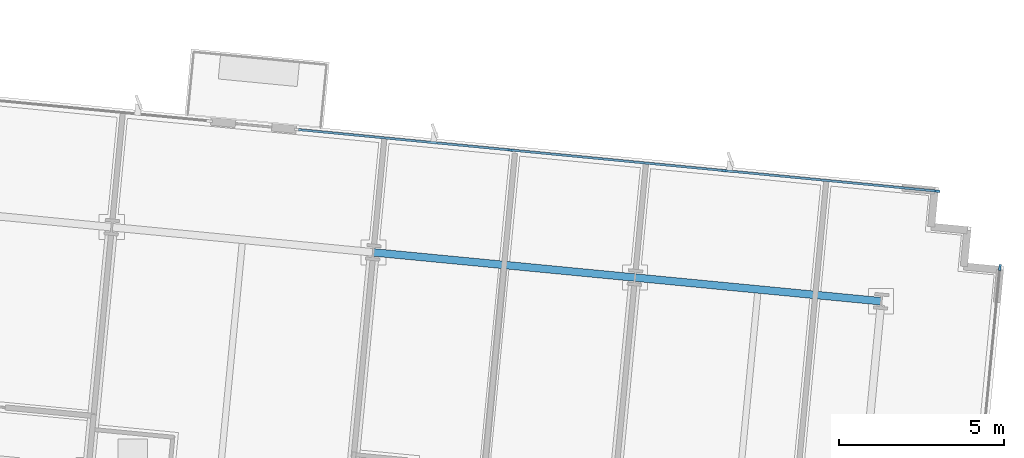
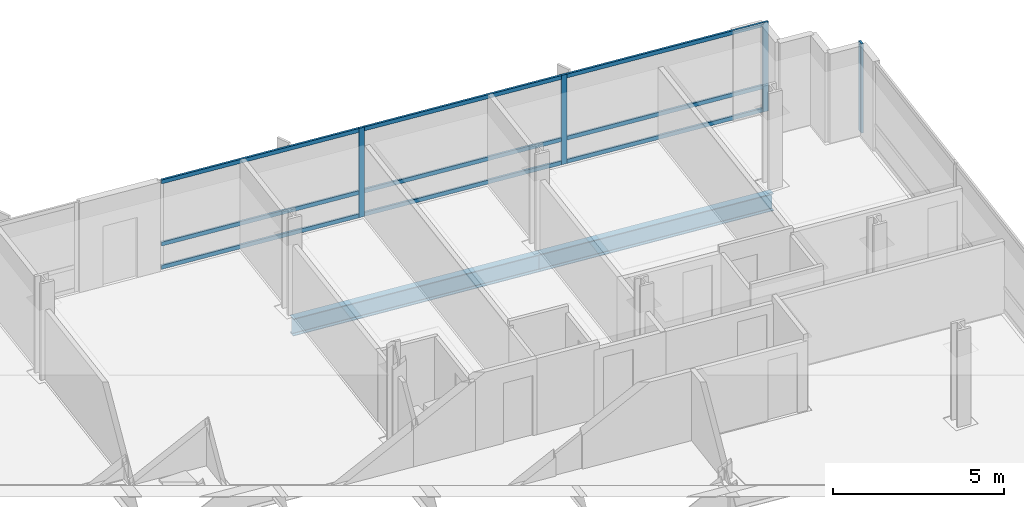
# One storey, part 8 of 17: 13 members, 2 beams, 2 elements without a shape of their own.
"""IFC4 building model written with IfcOpenShell, lengths in metres."""

from ifc_helpers import new_model, si_unit, direction, frame, origin, origin_2d, place, context, subcontext, project, spatial, rectangle, i_section, extrude, material, material_profile, profile_set, type_object, element, aggregate, save


model = new_model("IFC4")

# Units and contexts
model_context = context("Model", 3, precision=1e-05, world=origin(), true_north=direction((0.0, 1.0)))
body_context = subcontext(model_context, "Body", "Model", "MODEL_VIEW")
ifc_project = project(units=[si_unit("LENGTHUNIT", "METRE"), si_unit("AREAUNIT", "SQUARE_METRE"), si_unit("VOLUMEUNIT", "CUBIC_METRE"), si_unit("PLANEANGLEUNIT", "RADIAN"), si_unit("MASSUNIT", "GRAM", prefix="KILO")], contexts=[model_context])

# Site, building, storey
site_placement = place(None, origin())
site = spatial("IfcSite", under=ifc_project, at=site_placement, CompositionType="ELEMENT")
building_placement = place(site_placement, origin())
building = spatial("IfcBuilding", under=site, at=building_placement, Name="Solmavex Isthmus Hotel", CompositionType="ELEMENT")
storey_placement = place(building_placement, frame((0.0, 0.0, 142.800048828125)))
storey = spatial("IfcBuildingStorey", under=building, at=storey_placement, Name="L38", CompositionType="ELEMENT", Elevation=142.800048828125)

# Beams
ifc_material_1 = material(Name="Steel ASTM A992 Grade 50", Category="steel")
ifc_material_profile_1 = material_profile(ifc_material_1, i_section(OverallWidth=0.230224609375, OverallDepth=0.617431640625, WebThickness=0.01318359375, FlangeThickness=0.022216796875, FilletRadius=0.01513671875, at=origin_2d()), Name="W24X94")
ifc_profile_set_1 = profile_set([ifc_material_profile_1], Name="Steel ASTM A992 Grade 50")
beam_type = type_object("IfcBeamType", Name="BM-SP-W24X94", PredefinedType="SPANDREL", material=ifc_profile_set_1)
beam_1_placement = place(storey_placement, frame((9.1953125, 17.966552734375, -0.56884765625), z_axis=(0.995397440011, -0.095832856685, 0.0), x_axis=(0.095832856685, 0.995397440011, 0.0)))
element("IfcBeam", 1, at=beam_1_placement, inside=storey, type_object=beam_type, Name="Floor Girder L38-UG19", PredefinedType="SPANDREL", context=body_context, shape_type="SweptSolid", body=[
    extrude(i_section(OverallWidth=0.230224609375, OverallDepth=0.617431640625, WebThickness=0.01318359375, FlangeThickness=0.022216796875, FilletRadius=0.01513671875, at=origin_2d()), origin(), (0.0, 0.0, 1.0), 7.9560546875),
])
beam_2_placement = place(storey_placement, frame((17.11474609375, 17.2041015625, -0.56884765625), z_axis=(0.995395279593, -0.095855293875, 0.0), x_axis=(0.095855293875, 0.995395279593, 0.0)))
element("IfcBeam", 2, at=beam_2_placement, inside=storey, type_object=beam_type, Name="Floor Girder L38-UG20", PredefinedType="SPANDREL", context=body_context, shape_type="SweptSolid", body=[
    extrude(i_section(OverallWidth=0.230224609375, OverallDepth=0.617431640625, WebThickness=0.01318359375, FlangeThickness=0.022216796875, FilletRadius=0.01513671875, at=origin_2d()), origin(), (0.0, 0.0, 1.0), 7.488037109375),
])

# Curtain wall, members
ifc_material_2 = material(Name="Aluminium alloy 6063-T6", Category="aluminium")
curtain_wall_type = type_object("IfcCurtainWallType", Name="CW-SYS-03", PredefinedType="NOTDEFINED", material=ifc_material_2)
curtain_wall_1_placement = place(storey_placement, origin())
curtain_wall_1 = element("IfcCurtainWall", 3, at=curtain_wall_1_placement, inside=storey, type_object=curtain_wall_type, Name="Stick Curtain Wall CWL-L38-N3", PredefinedType="NOTDEFINED")
ifc_material_profile_2 = material_profile(ifc_material_2, rectangle(XDim=0.070068359375, YDim=0.179931640625, at=origin_2d()), Name="CWM-70X180")
ifc_profile_set_2 = profile_set([ifc_material_profile_2], Name="Aluminium alloy 6063-T6")
member_type_1 = type_object("IfcMemberType", Name="CW-SYS-03-MUL", PredefinedType="MULLION", material=ifc_profile_set_2)
member_1_placement = place(storey_placement, frame((13.340576171875, 21.0634765625, 0.0), z_axis=(0.0, 0.0, 1.0), x_axis=(0.095845735304, 0.995396200025, 0.0)))
member_1 = element("IfcMember", 4, at=member_1_placement, type_object=member_type_1, Name="CW-03 mullion 2", PredefinedType="MULLION", context=body_context, shape_type="SweptSolid", body=[
    extrude(rectangle(XDim=0.070068359375, YDim=0.179931640625, at=origin_2d()), origin(), (0.0, 0.0, 1.0), 3.18994140625),
])
member_2_placement = place(storey_placement, frame((19.818115234375, 20.439697265625, 0.0), z_axis=(0.0, 0.0, 1.0), x_axis=(0.095845735304, 0.995396200025, 0.0)))
member_2 = element("IfcMember", 5, at=member_2_placement, type_object=member_type_1, Name="CW-03 mullion 3", PredefinedType="MULLION", context=body_context, shape_type="SweptSolid", body=[
    extrude(rectangle(XDim=0.070068359375, YDim=0.179931640625, at=origin_2d()), origin(), (0.0, 0.0, 1.0), 3.18994140625),
])
member_3_placement = place(storey_placement, frame((26.260498046875, 19.819580078125, 0.0), z_axis=(0.0, 0.0, 1.0), x_axis=(0.095845735304, 0.995396200025, 0.0)))
member_3 = element("IfcMember", 6, at=member_3_placement, type_object=member_type_1, Name="CW-03 mullion 4", PredefinedType="MULLION", context=body_context, shape_type="SweptSolid", body=[
    extrude(rectangle(XDim=0.070068359375, YDim=0.179931640625, at=origin_2d()), origin(), (0.0, 0.0, 1.0), 3.18994140625),
])

# Curtain wall, member
curtain_wall_2_placement = place(storey_placement, origin())
curtain_wall_2 = element("IfcCurtainWall", 7, at=curtain_wall_2_placement, inside=storey, type_object=curtain_wall_type, Name="Stick Curtain Wall CWL-L38-E1", PredefinedType="NOTDEFINED")
member_4_placement = place(storey_placement, frame((28.1630859375, 17.511474609375, 0.0), z_axis=(0.0, 0.0, 1.0), x_axis=(-0.995396190038, 0.09584583902, 0.0)))
member_4 = element("IfcMember", 8, at=member_4_placement, type_object=member_type_1, Name="CW-03 mullion 6", PredefinedType="MULLION", context=body_context, shape_type="SweptSolid", body=[
    extrude(rectangle(XDim=0.070068359375, YDim=0.179931640625, at=origin_2d()), origin(), (0.0, 0.0, 1.0), 3.18994140625),
])
aggregate(curtain_wall_2, [member_4])

# Member
ifc_material_profile_3 = material_profile(ifc_material_2, rectangle(XDim=0.070068359375, YDim=0.139892578125, at=origin_2d()), Name="CWT-70X140")
ifc_profile_set_3 = profile_set([ifc_material_profile_3], Name="Aluminium alloy 6063-T6")
member_type_2 = type_object("IfcMemberType", Name="CW-SYS-03-TRN", PredefinedType="USERDEFINED", material=ifc_profile_set_3)
member_5_placement = place(storey_placement, frame((6.932861328125, 21.680419921875, 0.070068359375), z_axis=(0.995398123793, -0.095825754103, 0.0), x_axis=(0.095825754103, 0.995398123793, 0.0)))
member_5 = element("IfcMember", 9, at=member_5_placement, type_object=member_type_2, Name="CW-03 transom 1.1", ObjectType="TRANSOM", PredefinedType="USERDEFINED", context=body_context, shape_type="SweptSolid", body=[
    extrude(rectangle(XDim=0.070068359375, YDim=0.139892578125, at=origin_2d()), origin(), (0.0, 0.0, 1.0), 6.402587890625),
])

member_6_placement = place(storey_placement, frame((6.932861328125, 21.680419921875, 0.89990234375), z_axis=(0.995398123793, -0.095825754103, 0.0), x_axis=(0.095825754103, 0.995398123793, 0.0)))
member_6 = element("IfcMember", 10, at=member_6_placement, type_object=member_type_2, Name="CW-03 transom 1.2", ObjectType="TRANSOM", PredefinedType="USERDEFINED", context=body_context, shape_type="SweptSolid", body=[
    extrude(rectangle(XDim=0.070068359375, YDim=0.139892578125, at=origin_2d()), origin(), (0.0, 0.0, 1.0), 6.402587890625),
])

member_7_placement = place(storey_placement, frame((6.932861328125, 21.680419921875, 3.119873046875), z_axis=(0.995398123793, -0.095825754103, 0.0), x_axis=(0.095825754103, 0.995398123793, 0.0)))
member_7 = element("IfcMember", 11, at=member_7_placement, type_object=member_type_2, Name="CW-03 transom 1.3", ObjectType="TRANSOM", PredefinedType="USERDEFINED", context=body_context, shape_type="SweptSolid", body=[
    extrude(rectangle(XDim=0.070068359375, YDim=0.139892578125, at=origin_2d()), origin(), (0.0, 0.0, 1.0), 6.402587890625),
])

member_8_placement = place(storey_placement, frame((13.37548828125, 21.06005859375, 0.070068359375), z_axis=(0.995396930529, -0.095838148421, 0.0), x_axis=(0.095838148421, 0.995396930529, 0.0)))
member_8 = element("IfcMember", 12, at=member_8_placement, type_object=member_type_2, Name="CW-03 transom 2.1", ObjectType="TRANSOM", PredefinedType="USERDEFINED", context=body_context, shape_type="SweptSolid", body=[
    extrude(rectangle(XDim=0.070068359375, YDim=0.139892578125, at=origin_2d()), origin(), (0.0, 0.0, 1.0), 6.437255859375),
])

member_9_placement = place(storey_placement, frame((13.37548828125, 21.06005859375, 0.89990234375), z_axis=(0.995396930529, -0.095838148421, 0.0), x_axis=(0.095838148421, 0.995396930529, 0.0)))
member_9 = element("IfcMember", 13, at=member_9_placement, type_object=member_type_2, Name="CW-03 transom 2.2", ObjectType="TRANSOM", PredefinedType="USERDEFINED", context=body_context, shape_type="SweptSolid", body=[
    extrude(rectangle(XDim=0.070068359375, YDim=0.139892578125, at=origin_2d()), origin(), (0.0, 0.0, 1.0), 6.437255859375),
])

member_10_placement = place(storey_placement, frame((13.37548828125, 21.06005859375, 3.119873046875), z_axis=(0.995396930529, -0.095838148421, 0.0), x_axis=(0.095838148421, 0.995396930529, 0.0)))
member_10 = element("IfcMember", 14, at=member_10_placement, type_object=member_type_2, Name="CW-03 transom 2.3", ObjectType="TRANSOM", PredefinedType="USERDEFINED", context=body_context, shape_type="SweptSolid", body=[
    extrude(rectangle(XDim=0.070068359375, YDim=0.139892578125, at=origin_2d()), origin(), (0.0, 0.0, 1.0), 6.437255859375),
])

member_11_placement = place(storey_placement, frame((19.852783203125, 20.4365234375, 0.070068359375), z_axis=(0.995394485876, -0.09586353576, 0.0), x_axis=(0.09586353576, 0.995394485876, 0.0)))
member_11 = element("IfcMember", 15, at=member_11_placement, type_object=member_type_2, Name="CW-03 transom 3.1", ObjectType="TRANSOM", PredefinedType="USERDEFINED", context=body_context, shape_type="SweptSolid", body=[
    extrude(rectangle(XDim=0.070068359375, YDim=0.139892578125, at=origin_2d()), origin(), (0.0, 0.0, 1.0), 6.402587890625),
])

member_12_placement = place(storey_placement, frame((19.852783203125, 20.4365234375, 0.89990234375), z_axis=(0.995394485876, -0.09586353576, 0.0), x_axis=(0.09586353576, 0.995394485876, 0.0)))
member_12 = element("IfcMember", 16, at=member_12_placement, type_object=member_type_2, Name="CW-03 transom 3.2", ObjectType="TRANSOM", PredefinedType="USERDEFINED", context=body_context, shape_type="SweptSolid", body=[
    extrude(rectangle(XDim=0.070068359375, YDim=0.139892578125, at=origin_2d()), origin(), (0.0, 0.0, 1.0), 6.402587890625),
])

member_13_placement = place(storey_placement, frame((19.852783203125, 20.4365234375, 3.119873046875), z_axis=(0.995394485876, -0.09586353576, 0.0), x_axis=(0.09586353576, 0.995394485876, 0.0)))
member_13 = element("IfcMember", 17, at=member_13_placement, type_object=member_type_2, Name="CW-03 transom 3.3", ObjectType="TRANSOM", PredefinedType="USERDEFINED", context=body_context, shape_type="SweptSolid", body=[
    extrude(rectangle(XDim=0.070068359375, YDim=0.139892578125, at=origin_2d()), origin(), (0.0, 0.0, 1.0), 6.402587890625),
])

aggregate(curtain_wall_1, [member_1, member_2, member_3, member_5, member_6, member_7, member_8, member_9, member_10, member_11, member_12, member_13])

save(model, "model.ifc")
